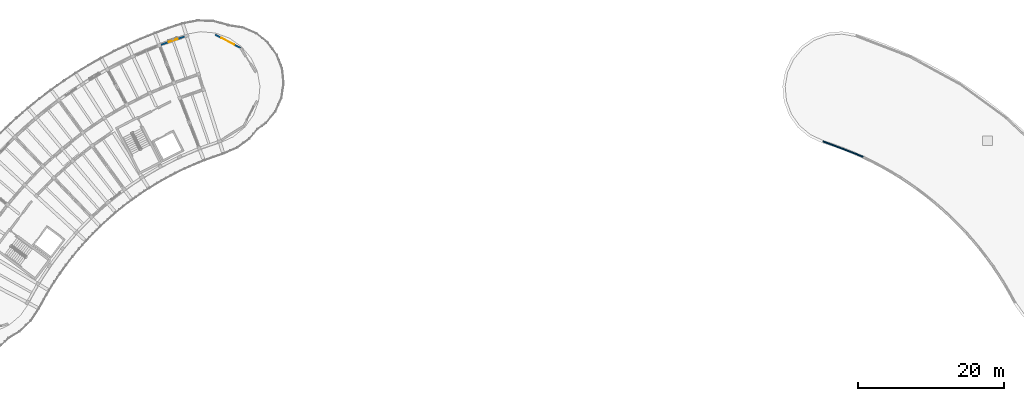
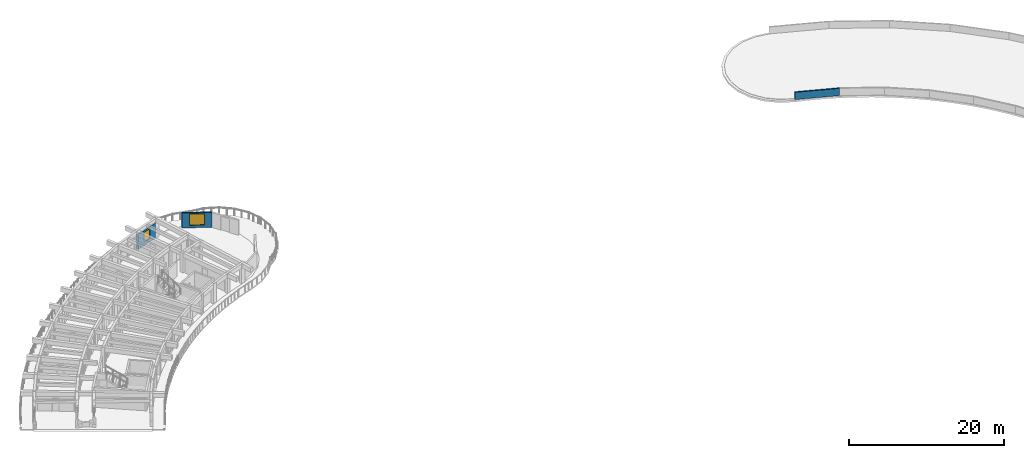
# One storey, part 12 of 19: 3 walls, 2 windows, 2 openings.
"""IFC4 building model written with IfcOpenShell, lengths in metres."""

from ifc_helpers import new_model, si_unit, direction, frame, frame_2d, origin, place, context, subcontext, project, spatial, rectangle, extrude, material, layer, layer_set, type_object, element, fill, save


model = new_model("IFC4")

# Units and contexts
model_context = context("Model", 3, precision=1e-05, world=origin(), true_north=direction((0.0, 1.0)))
body_context = subcontext(model_context, "Body", "Model", "MODEL_VIEW")
ifc_project = project(units=[si_unit("LENGTHUNIT", "METRE"), si_unit("AREAUNIT", "SQUARE_METRE"), si_unit("VOLUMEUNIT", "CUBIC_METRE"), si_unit("PLANEANGLEUNIT", "RADIAN"), si_unit("MASSUNIT", "GRAM", prefix="KILO")], contexts=[model_context])

# Site, building, storey
site_placement = place(None, origin())
site = spatial("IfcSite", under=ifc_project, at=site_placement, CompositionType="ELEMENT")
building_placement = place(site_placement, origin())
building = spatial("IfcBuilding", under=site, at=building_placement, Name="Tanwirah Colonnade Gardens", CompositionType="ELEMENT")
storey_placement = place(building_placement, frame((0.0, 0.0, 45.800048828125)))
storey = spatial("IfcBuildingStorey", under=building, at=storey_placement, Name="L13", CompositionType="ELEMENT", Elevation=45.800048828125)

# Wall
ifc_material_1 = material(Name="White architectural precast concrete C40/50", Category="concrete")
ifc_layer_1 = layer(ifc_material_1, 0.18994140625)
ifc_layer_set_1 = layer_set([ifc_layer_1], Name="White architectural precast concrete C40/50")
wall_type_1 = type_object("IfcWallType", Name="EW-PAR190", PredefinedType="PARAPET", material=ifc_layer_set_1)
wall_1_placement = place(storey_placement, frame((139.707275390625, 100.521728515625, 0.0), z_axis=(0.0, 0.0, 1.0), x_axis=(-0.932890456281, 0.360160237366, 0.0)))
element("IfcWall", 1, at=wall_1_placement, inside=storey, type_object=wall_type_1, Name="Block B Roof Cornice Parapet IN-10", PredefinedType="PARAPET", context=body_context, shape_type="SweptSolid", body=[
    extrude(rectangle(XDim=5.857421875, YDim=0.18994140625, at=frame_2d((2.9287109375, 0.0))), origin(), (0.0, 0.0, 1.0), 1.14990234375),
])

# Wall, opening, window
ifc_material_2 = material(Name="Limestone architectural precast concrete C40/50", Category="masonry")
ifc_layer_2 = layer(ifc_material_2, 0.22509765625)
ifc_layer_set_2 = layer_set([ifc_layer_2], Name="Limestone architectural precast concrete C40/50")
wall_type_2 = type_object("IfcWallType", Name="EW-PC225", PredefinedType="SOLIDWALL", material=ifc_layer_set_2)
wall_2_placement = place(storey_placement, frame((47.1025390625, 116.991455078125, 0.0), z_axis=(0.0, 0.0, 1.0), x_axis=(-0.944246784111, -0.329238531608, 0.0)))
wall_2 = element("IfcWall", 2, at=wall_2_placement, inside=storey, type_object=wall_type_2, Name="Block A L13 OUT Precast Facade Wall 3", PredefinedType="SOLIDWALL", context=body_context, shape_type="SweptSolid", body=[
    extrude(rectangle(XDim=3.560791015625, YDim=0.22509765625, at=frame_2d((1.7802734375, 0.0))), origin(), (0.0, 0.0, 1.0), 2.35498046875),
])
opening_1_placement = place(wall_2_placement, frame((1.160400390625, 0.0, 0.550048828125)))
opening_1 = element("IfcOpeningElement", 3, at=opening_1_placement, cuts=wall_2, Name="Opening WIN-U03", PredefinedType="OPENING", context=body_context, shape_type="SweptSolid", body=[
    extrude(rectangle(XDim=1.239990234375, YDim=1.534912109375, at=frame_2d((0.6201171875, 0.767578125))), frame((0.0, 0.12255859375, 0.0), z_axis=(0.0, -1.0, 0.0), x_axis=(1.0, 0.0, 0.0)), (0.0, 0.0, 1.0), 0.2451171875),
])
ifc_material_3 = material(Name="Thermally broken bronze aluminium and solar low-E double glazing", Category="aluminium")
window_type_1 = type_object("IfcWindowType", Name="WIN-U03", PartitioningType="DOUBLE_PANEL_VERTICAL", PredefinedType="WINDOW", material=ifc_material_3)
window_1_placement = place(opening_1_placement, origin())
window_1 = element("IfcWindow", 4, at=window_1_placement, inside=storey, type_object=window_type_1, Name="Facade window A-L13-OUT-03", OverallHeight=1.534912109375, OverallWidth=1.239990234375, PartitioningType="SINGLE_PANEL", PredefinedType="WINDOW", context=body_context, shape_type="SweptSolid", body=[
    extrude(rectangle(XDim=1.239990234375, YDim=1.534912109375, at=frame_2d((0.6201171875, 0.767578125))), frame((0.0, 0.030029296875, 0.0), z_axis=(0.0, -1.0, 0.0), x_axis=(1.0, 0.0, 0.0)), (0.0, 0.0, 1.0), 0.06005859375),
])
fill(opening_1, window_1)

wall_3_placement = place(storey_placement, frame((51.1630859375, 117.204833984375, 0.0), z_axis=(0.0, 0.0, 1.0), x_axis=(0.8856664179, -0.464322082399, 0.0)))
wall_3 = element("IfcWall", 5, at=wall_3_placement, inside=storey, type_object=wall_type_2, Name="Block A L13 START Rounded End Wall 1", PredefinedType="SOLIDWALL", context=body_context, shape_type="SweptSolid", body=[
    extrude(rectangle(XDim=3.908203125, YDim=0.22509765625, at=frame_2d((1.9541015625, 0.0))), origin(), (0.0, 0.0, 1.0), 2.35498046875),
])
opening_2_placement = place(wall_3_placement, frame((0.97900390625, 0.0, 0.39990234375)))
opening_2 = element("IfcOpeningElement", 6, at=opening_2_placement, cuts=wall_3, Name="Opening WIN-END2", PredefinedType="OPENING", context=body_context, shape_type="SweptSolid", body=[
    extrude(rectangle(XDim=1.949951171875, YDim=1.780029296875, at=frame_2d((0.97509765625, 0.89013671875))), frame((0.0, 0.12255859375, 0.0), z_axis=(0.0, -1.0, 0.0), x_axis=(1.0, 0.0, 0.0)), (0.0, 0.0, 1.0), 0.2451171875),
])
window_type_2 = type_object("IfcWindowType", Name="WIN-END2", PartitioningType="TRIPLE_PANEL_VERTICAL", PredefinedType="WINDOW", material=ifc_material_3)
window_2_placement = place(opening_2_placement, origin())
window_2 = element("IfcWindow", 7, at=window_2_placement, inside=storey, type_object=window_type_2, Name="Rounded corner window A-L13-START-1", OverallHeight=1.780029296875, OverallWidth=1.949951171875, PartitioningType="SINGLE_PANEL", PredefinedType="WINDOW", context=body_context, shape_type="SweptSolid", body=[
    extrude(rectangle(XDim=1.949951171875, YDim=1.780029296875, at=frame_2d((0.97509765625, 0.89013671875))), frame((0.0, 0.030029296875, 0.0), z_axis=(0.0, -1.0, 0.0), x_axis=(1.0, 0.0, 0.0)), (0.0, 0.0, 1.0), 0.06005859375),
])
fill(opening_2, window_2)

save(model, "model.ifc")
